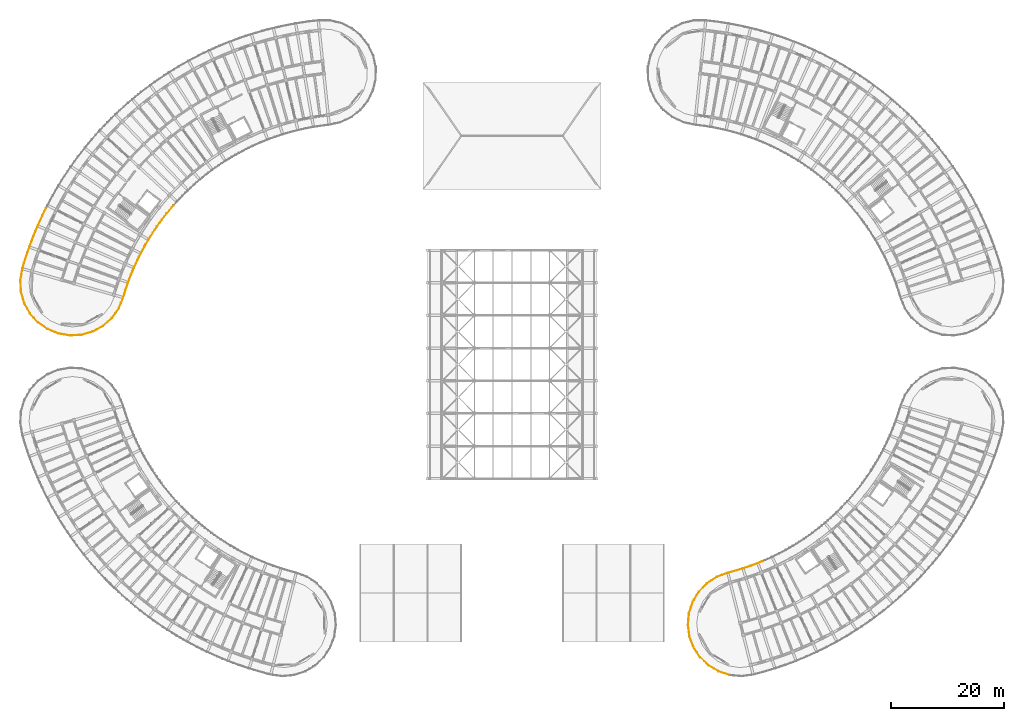
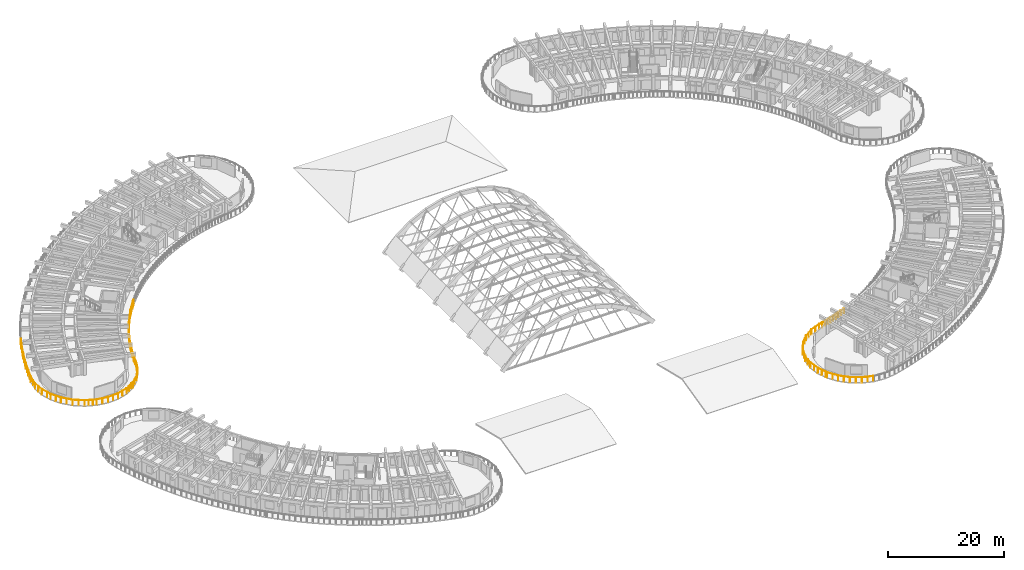
# One storey, part 69 of 81: 11 railings.
"""IFC4 building model written with IfcOpenShell, lengths in metres."""

import ifcopenshell
import ifcopenshell.guid

model = None  # the IFC model being written
_history = None  # IfcOwnerHistory: only IFC2X3 demands one
_inside = {}  # id of a spatial element -> (the spatial element, [elements in it])
_under = {}  # id of a project, library or spatial element -> (it, [spatial elements below it])
_declared = {}  # id of a project -> (the project, [libraries it declares])
_typed = {}  # id of a type object -> (the type object, [elements of that type])
_made_of = {}  # id of a material, layer set ... -> (it, [elements and type objects made of it])


def new_model(schema):
    """Start an empty IFC model of exactly this schema.

    Asked for "IFC4X3", IfcOpenShell would pick the latest addendum, in which some entities
    have other attributes; the version numbers below select the first issue.
    IFC2X3 requires an IfcOwnerHistory on every rooted entity: one is made here for all.
    """
    global model, _history
    if schema == "IFC4X3":
        model = ifcopenshell.file(schema_version=(4, 3, 0, 0))
    else:
        model = ifcopenshell.file(schema=schema)
    _inside.clear()
    _under.clear()
    _declared.clear()
    _typed.clear()
    _made_of.clear()
    _history = None
    if model.schema == "IFC2X3":
        org = make("IfcOrganization", Name="unknown")
        user = make(
            "IfcPersonAndOrganization",
            ThePerson=make("IfcPerson", FamilyName="unknown"),
            TheOrganization=org,
        )
        app = make(
            "IfcApplication",
            ApplicationDeveloper=org,
            Version="unknown",
            ApplicationFullName="unknown",
            ApplicationIdentifier="unknown",
        )
        _history = make(
            "IfcOwnerHistory",
            OwningUser=user,
            OwningApplication=app,
            ChangeAction="ADDED",
            CreationDate=0,
        )
    return model


def make(cls, **values):
    """One entity of the class cls with the attributes given. An attribute that is None is left unset."""
    return model.create_entity(
        cls, **{name: value for name, value in values.items() if value is not None}
    )


def rooted(cls, **values):
    """An entity with a GlobalId (a new one), such as an element, a storey or a relation."""
    return make(cls, GlobalId=ifcopenshell.guid.new(), OwnerHistory=_history, **values)


def si_unit(unit_type, name, prefix=None):
    """IfcSIUnit, for example si_unit("LENGTHUNIT", "METRE", prefix="MILLI")."""
    return make("IfcSIUnit", UnitType=unit_type, Prefix=prefix, Name=name)


def assignment(units):
    """IfcUnitAssignment: the units of a project."""
    return None if units is None else make("IfcUnitAssignment", Units=units)


def point(xyz):
    """IfcCartesianPoint."""
    return None if xyz is None else make("IfcCartesianPoint", Coordinates=xyz)


def direction(xyz):
    """IfcDirection."""
    return None if xyz is None else make("IfcDirection", DirectionRatios=xyz)


def frame(location, z_axis=None, x_axis=None):
    """IfcAxis2Placement3D, a coordinate frame: its origin and axes. An axis left out is left unset."""
    return make(
        "IfcAxis2Placement3D",
        Location=point(location),
        Axis=direction(z_axis),
        RefDirection=direction(x_axis),
    )


def frame_2d(location, x_axis=None):
    """IfcAxis2Placement2D, a coordinate frame in the plane: its origin and x axis."""
    return make(
        "IfcAxis2Placement2D", Location=point(location), RefDirection=direction(x_axis)
    )


def origin():
    """The frame at (0, 0, 0) with its axes left unset."""
    return frame((0.0, 0.0, 0.0))


def origin_2d():
    """The frame at (0, 0) in the plane with its x axis left unset."""
    return frame_2d((0.0, 0.0))


def place(relative_to, where):
    """IfcLocalPlacement: puts the frame where relative to a parent placement (None: the world)."""
    return make(
        "IfcLocalPlacement", PlacementRelTo=relative_to, RelativePlacement=where
    )


def context(
    kind, dimensions, precision=None, world=None, true_north=None, identifier=None
):
    """IfcGeometricRepresentationContext, for example the 3D "Model" context."""
    return make(
        "IfcGeometricRepresentationContext",
        ContextIdentifier=identifier,
        ContextType=kind,
        CoordinateSpaceDimension=dimensions,
        Precision=precision,
        WorldCoordinateSystem=world,
        TrueNorth=true_north,
    )


def subcontext(parent, identifier, kind, view, scale=None):
    """IfcGeometricRepresentationSubContext, for example "Body" below "Model"."""
    return make(
        "IfcGeometricRepresentationSubContext",
        ContextIdentifier=identifier,
        ContextType=kind,
        ParentContext=parent,
        TargetScale=scale,
        TargetView=view,
    )


def project(units=None, contexts=None):
    """IfcProject with its units and contexts."""
    return rooted(
        "IfcProject",
        Name="project",
        RepresentationContexts=contexts,
        UnitsInContext=assignment(units),
    )


def spatial(cls, under=None, at=None, **own):
    """A site, building, storey or space (cls), placed at a placement, below another one or the project."""
    s = rooted(cls, ObjectPlacement=at, **own)
    if under is not None:
        _under.setdefault(under.id(), (under, []))[1].append(s)
    return s


def profile(cls, at=None, kind="AREA", **sizes):
    """A parametric profile (cls). Its sizes go by their IFC names, for example OverallWidth=200.0."""
    return make(cls, ProfileType=kind, Position=at, **sizes)


def circle(**sizes):
    """IfcCircleProfileDef."""
    return profile("IfcCircleProfileDef", **sizes)


def extrude(swept, where, along, depth):
    """IfcExtrudedAreaSolid: the profile swept, set in the frame where, extruded along a direction by depth."""
    return make(
        "IfcExtrudedAreaSolid",
        SweptArea=swept,
        Position=where,
        ExtrudedDirection=direction(along),
        Depth=depth,
    )


def shape(context_of_items, identifier, shape_type, items):
    """IfcShapeRepresentation: the items that make up one representation, for example the "Body"."""
    return make(
        "IfcShapeRepresentation",
        ContextOfItems=context_of_items,
        RepresentationIdentifier=identifier,
        RepresentationType=shape_type,
        Items=items,
    )


def material(Name=None, Category=None):
    """IfcMaterial."""
    return make("IfcMaterial", Name=Name, Category=Category)


def made_of(thing, what):
    """Note that an element or type object is made of a material, layer set ...; save() writes the relation."""
    if what is not None:
        _made_of.setdefault(what.id(), (what, []))[1].append(thing)
    return thing


def type_object(cls, material=None, **own):
    """A type object (cls), such as IfcWallType, which elements share."""
    return made_of(rooted(cls, **own), material)


def element(
    cls,
    number,
    at=None,
    inside=None,
    cuts=None,
    type_object=None,
    material=None,
    context=None,
    identifier="Body",
    shape_type=None,
    held_by="IfcProductDefinitionShape",
    body=None,
    shapes=None,
    **own,
):
    """One element of the class cls, such as IfcWall. Its Tag is "e" and its number.

    at: its placement. inside: the storey or other place that contains it. cuts: it is an
    opening in that element (IfcRelVoidsElement). A single representation is given by context,
    identifier, shape_type and body (its items); several are given by shapes. held_by: the class
    of the entity that holds the representations. save() writes the other relations.
    """
    e = rooted(cls, Tag="e%d" % number, ObjectPlacement=at, **own)
    if body is not None:
        shapes = [shape(context, identifier, shape_type, body)]
    if shapes is not None:
        e.Representation = make(held_by, Representations=shapes)
    if inside is not None:
        _inside.setdefault(inside.id(), (inside, []))[1].append(e)
    if cuts is not None:
        rooted(
            "IfcRelVoidsElement", RelatingBuildingElement=cuts, RelatedOpeningElement=e
        )
    if type_object is not None:
        _typed.setdefault(type_object.id(), (type_object, []))[1].append(e)
    return made_of(e, material)


def aggregate(whole, parts):
    """IfcRelAggregates: a whole, such as a stair, and the parts it consists of."""
    return rooted("IfcRelAggregates", RelatingObject=whole, RelatedObjects=parts)


def save(model, path):
    """Write the relations noted so far, then the file.

    IfcRelAggregates (storeys below a building ...), IfcRelContainedInSpatialStructure (elements
    in a storey), IfcRelDefinesByType, IfcRelAssociatesMaterial and IfcRelDeclares: one each for
    every whole, place, type object, material and project.
    """
    for whole, parts in _under.values():
        aggregate(whole, parts)
    for where, things in _inside.values():
        rooted(
            "IfcRelContainedInSpatialStructure",
            RelatedElements=things,
            RelatingStructure=where,
        )
    for kind, things in _typed.values():
        rooted("IfcRelDefinesByType", RelatedObjects=things, RelatingType=kind)
    for what, things in _made_of.values():
        rooted("IfcRelAssociatesMaterial", RelatedObjects=things, RelatingMaterial=what)
    for by, libraries in _declared.values():
        rooted("IfcRelDeclares", RelatingContext=by, RelatedDefinitions=libraries)
    model.write(path)


model = new_model("IFC4")

# Units and contexts
model_context = context("Model", 3, precision=1e-05, world=origin(), true_north=direction((0.0, 1.0)))
body_context = subcontext(model_context, "Body", "Model", "MODEL_VIEW")
ifc_project = project(units=[si_unit("LENGTHUNIT", "METRE"), si_unit("AREAUNIT", "SQUARE_METRE"), si_unit("VOLUMEUNIT", "CUBIC_METRE"), si_unit("PLANEANGLEUNIT", "RADIAN"), si_unit("MASSUNIT", "GRAM", prefix="KILO")], contexts=[model_context])

# Site, building, storey
site_placement = place(None, origin())
site = spatial("IfcSite", under=ifc_project, at=site_placement, CompositionType="ELEMENT")
building_placement = place(site_placement, origin())
building = spatial("IfcBuilding", under=site, at=building_placement, Name="Tanwirah Colonnade Gardens", CompositionType="ELEMENT")
storey_placement = place(building_placement, frame((0.0, 0.0, 8.840087890625)))
storey = spatial("IfcBuildingStorey", under=building, at=storey_placement, Name="L02", CompositionType="ELEMENT", Elevation=8.840087890625)

# Railings
ifc_material = material(Name="Precast concrete C40/50", Category="concrete")
railing_type_1 = type_object("IfcRailingType", Name="BAL-EXT110", PredefinedType="BALUSTRADE", material=ifc_material)
railing_1_placement = place(storey_placement, frame((129.36962890625, 22.35888671875, 0.0)))
element("IfcRailing", 1, at=railing_1_placement, inside=storey, type_object=railing_type_1, Name="Block D L02 Balcony Ribbon Balustrade 1", PredefinedType="BALUSTRADE", context=body_context, shape_type="SweptSolid", body=[
    extrude(circle(Radius=0.02392578125, at=origin_2d()), frame((0.029296875, 0.010986328125, 1.076171875), z_axis=(0.937103821965, 0.349050751121, 0.0), x_axis=(-0.349050751121, 0.937103821965, 0.0)), (0.0, 0.0, 1.0), 2.029541015625),
    extrude(circle(Radius=0.02392578125, at=origin_2d()), frame((1.99072265625, 0.73828125, 1.076171875), z_axis=(0.96619995466, 0.257793808332, 0.0), x_axis=(-0.257793808332, 0.96619995466, 0.0)), (0.0, 0.0, 1.0), 1.32763671875),
    extrude(circle(Radius=0.02392578125, at=origin_2d()), frame((3.33642578125, 1.098388671875, 1.076171875), z_axis=(0.957270084886, 0.289195408993, 0.0), x_axis=(-0.289195408993, 0.957270084886, 0.0)), (0.0, 0.0, 1.0), 1.331298828125),
    extrude(circle(Radius=0.02392578125, at=origin_2d()), frame((4.6728515625, 1.503173828125, 1.076171875), z_axis=(0.947255234668, 0.320480140404, 0.0), x_axis=(-0.320480140404, 0.947255234668, 0.0)), (0.0, 0.0, 1.0), 1.33154296875),
    extrude(circle(Radius=0.02392578125, at=origin_2d()), frame((5.99560546875, 1.951904296875, 1.076171875), z_axis=(0.936314781462, 0.351161828813, 0.0), x_axis=(-0.351161828813, 0.936314781462, 0.0)), (0.0, 0.0, 1.0), 1.33154296875),
    extrude(circle(Radius=0.02392578125, at=origin_2d()), frame((7.302734375, 2.443359375, 1.076171875), z_axis=(0.924297734164, 0.38167223978, 0.0), x_axis=(-0.38167223978, 0.924297734164, 0.0)), (0.0, 0.0, 1.0), 0.7626953125),
    extrude(circle(Radius=0.02099609375, at=origin_2d()), origin(), (0.0, 0.0, 1.0), 1.049072265625),
    extrude(circle(Radius=0.02099609375, at=origin_2d()), frame((0.980224609375, 0.365234375, 0.0)), (0.0, 0.0, 1.0), 1.049072265625),
    extrude(circle(Radius=0.02099609375, at=origin_2d()), frame((1.96044921875, 0.730224609375, 0.0)), (0.0, 0.0, 1.0), 1.049072265625),
    extrude(circle(Radius=0.02099609375, at=origin_2d()), frame((2.632080078125, 0.909423828125, 0.0)), (0.0, 0.0, 1.0), 1.049072265625),
    extrude(circle(Radius=0.02099609375, at=origin_2d()), frame((3.3037109375, 1.088623046875, 0.0)), (0.0, 0.0, 1.0), 1.049072265625),
    extrude(circle(Radius=0.02099609375, at=origin_2d()), frame((3.9736328125, 1.291015625, 0.0)), (0.0, 0.0, 1.0), 1.049072265625),
    extrude(circle(Radius=0.02099609375, at=origin_2d()), frame((4.640625, 1.492431640625, 0.0)), (0.0, 0.0, 1.0), 1.049072265625),
    extrude(circle(Radius=0.02099609375, at=origin_2d()), frame((5.3037109375, 1.716552734375, 0.0)), (0.0, 0.0, 1.0), 1.049072265625),
    extrude(circle(Radius=0.02099609375, at=origin_2d()), frame((5.9638671875, 1.93994140625, 0.0)), (0.0, 0.0, 1.0), 1.049072265625),
    extrude(circle(Radius=0.02099609375, at=origin_2d()), frame((6.618896484375, 2.185546875, 0.0)), (0.0, 0.0, 1.0), 1.049072265625),
    extrude(circle(Radius=0.02099609375, at=origin_2d()), frame((7.271484375, 2.430419921875, 0.0)), (0.0, 0.0, 1.0), 1.049072265625),
    extrude(circle(Radius=0.02099609375, at=origin_2d()), frame((8.03662109375, 2.746337890625, 0.0)), (0.0, 0.0, 1.0), 1.049072265625),
])
railing_2_placement = place(storey_placement, frame((131.574951171875, 4.956298828125, 0.0)))
element("IfcRailing", 2, at=railing_2_placement, inside=storey, type_object=railing_type_1, Name="Block D L02 Balcony Ribbon Balustrade 18", PredefinedType="BALUSTRADE", context=body_context, shape_type="SweptSolid", body=[
    extrude(circle(Radius=0.02392578125, at=origin_2d()), frame((-0.02978515625, 0.009765625, 1.076171875), z_axis=(-0.950295740151, 0.311348689176, 0.0), x_axis=(-0.311348689176, -0.950295740151, 0.0)), (0.0, 0.0, 1.0), 1.90576171875),
    extrude(circle(Radius=0.02392578125, at=origin_2d()), frame((-1.897216796875, 0.62890625, 1.076171875), z_axis=(-0.85719342111, 0.514994600754, 0.0), x_axis=(-0.514994600754, -0.85719342111, 0.0)), (0.0, 0.0, 1.0), 2.0244140625),
    extrude(circle(Radius=0.02392578125, at=origin_2d()), frame((-3.681640625, 1.709228515625, 1.076171875), z_axis=(-0.721062309091, 0.692870223353, 0.0), x_axis=(-0.692870223353, -0.721062309091, 0.0)), (0.0, 0.0, 1.0), 2.0244140625),
    extrude(circle(Radius=0.02392578125, at=origin_2d()), frame((-5.18115234375, 3.15966796875, 1.076171875), z_axis=(-0.548773979468, 0.835970764715, 0.0), x_axis=(-0.835970764715, -0.548773979468, 0.0)), (0.0, 0.0, 1.0), 2.0244140625),
    extrude(circle(Radius=0.02392578125, at=origin_2d()), frame((-6.3203125, 4.907470703125, 1.076171875), z_axis=(-0.349248505254, 0.937030139098, 0.0), x_axis=(-0.937030139098, -0.349248505254, 0.0)), (0.0, 0.0, 1.0), 0.208740234375),
    extrude(circle(Radius=0.02099609375, at=origin_2d()), origin(), (0.0, 0.0, 1.0), 1.049072265625),
    extrude(circle(Radius=0.02099609375, at=origin_2d()), frame((-0.93505859375, 0.306396484375, 0.0)), (0.0, 0.0, 1.0), 1.049072265625),
    extrude(circle(Radius=0.02099609375, at=origin_2d()), frame((-1.870361328125, 0.61279296875, 0.0)), (0.0, 0.0, 1.0), 1.049072265625),
    extrude(circle(Radius=0.02099609375, at=origin_2d()), frame((-2.7646484375, 1.150146484375, 0.0)), (0.0, 0.0, 1.0), 1.049072265625),
    extrude(circle(Radius=0.02099609375, at=origin_2d()), frame((-3.6591796875, 1.6875, 0.0)), (0.0, 0.0, 1.0), 1.049072265625),
    extrude(circle(Radius=0.02099609375, at=origin_2d()), frame((-4.41162109375, 2.41064453125, 0.0)), (0.0, 0.0, 1.0), 1.049072265625),
    extrude(circle(Radius=0.02099609375, at=origin_2d()), frame((-5.1640625, 3.133544921875, 0.0)), (0.0, 0.0, 1.0), 1.049072265625),
    extrude(circle(Radius=0.02099609375, at=origin_2d()), frame((-5.73681640625, 4.005859375, 0.0)), (0.0, 0.0, 1.0), 1.049072265625),
    extrude(circle(Radius=0.02099609375, at=origin_2d()), frame((-6.309326171875, 4.878173828125, 0.0)), (0.0, 0.0, 1.0), 1.049072265625),
    extrude(circle(Radius=0.02099609375, at=origin_2d()), frame((-6.404052734375, 5.13232421875, 0.0)), (0.0, 0.0, 1.0), 1.049072265625),
])
railing_3_placement = place(storey_placement, frame((125.1708984375, 10.088623046875, 0.0)))
element("IfcRailing", 3, at=railing_3_placement, inside=storey, type_object=railing_type_1, Name="Block D L02 Balcony Ribbon Balustrade 19", PredefinedType="BALUSTRADE", context=body_context, shape_type="SweptSolid", body=[
    extrude(circle(Radius=0.02392578125, at=origin_2d()), frame((-0.010986328125, 0.029296875, 1.076171875), z_axis=(-0.348956204715, 0.93713903301, 0.0), x_axis=(-0.93713903301, -0.348956204715, 0.0)), (0.0, 0.0, 1.0), 1.7529296875),
    extrude(circle(Radius=0.02392578125, at=origin_2d()), frame((-0.6376953125, 1.732421875, 1.076171875), z_axis=(-0.131849522063, 0.991269743073, 0.0), x_axis=(-0.991269743073, -0.131849522063, 0.0)), (0.0, 0.0, 1.0), 2.0244140625),
    extrude(circle(Radius=0.02392578125, at=origin_2d()), frame((-0.90576171875, 3.80126953125, 1.076171875), z_axis=(0.092181027347, 0.995742264945, 0.0), x_axis=(-0.995742264945, 0.092181027347, 0.0)), (0.0, 0.0, 1.0), 2.0244140625),
    extrude(circle(Radius=0.02392578125, at=origin_2d()), frame((-0.70654296875, 5.8779296875, 1.076171875), z_axis=(0.311415597507, 0.950273816134, 0.0), x_axis=(-0.950273816134, 0.311415597507, 0.0)), (0.0, 0.0, 1.0), 2.0244140625),
    extrude(circle(Radius=0.02392578125, at=origin_2d()), frame((-0.05029296875, 7.858154296875, 1.076171875), z_axis=(0.51483484624, 0.857289380021, 0.0), x_axis=(-0.857289380021, 0.51483484624, 0.0)), (0.0, 0.0, 1.0), 0.36083984375),
    extrude(circle(Radius=0.02099609375, at=origin_2d()), origin(), (0.0, 0.0, 1.0), 1.049072265625),
    extrude(circle(Radius=0.02099609375, at=origin_2d()), frame((-0.31689453125, 0.8505859375, 0.0)), (0.0, 0.0, 1.0), 1.049072265625),
    extrude(circle(Radius=0.02099609375, at=origin_2d()), frame((-0.633544921875, 1.701416015625, 0.0)), (0.0, 0.0, 1.0), 1.049072265625),
    extrude(circle(Radius=0.02099609375, at=origin_2d()), frame((-0.77099609375, 2.73583984375, 0.0)), (0.0, 0.0, 1.0), 1.049072265625),
    extrude(circle(Radius=0.02099609375, at=origin_2d()), frame((-0.90869140625, 3.77001953125, 0.0)), (0.0, 0.0, 1.0), 1.049072265625),
    extrude(circle(Radius=0.02099609375, at=origin_2d()), frame((-0.8125, 4.80908203125, 0.0)), (0.0, 0.0, 1.0), 1.049072265625),
    extrude(circle(Radius=0.02099609375, at=origin_2d()), frame((-0.71630859375, 5.84814453125, 0.0)), (0.0, 0.0, 1.0), 1.049072265625),
    extrude(circle(Radius=0.02099609375, at=origin_2d()), frame((-0.391357421875, 6.83984375, 0.0)), (0.0, 0.0, 1.0), 1.049072265625),
    extrude(circle(Radius=0.02099609375, at=origin_2d()), frame((-0.06640625, 7.831298828125, 0.0)), (0.0, 0.0, 1.0), 1.049072265625),
    extrude(circle(Radius=0.02099609375, at=origin_2d()), frame((0.151611328125, 8.1943359375, 0.0)), (0.0, 0.0, 1.0), 1.049072265625),
])
railing_4_placement = place(storey_placement, frame((125.322509765625, 18.282958984375, 0.0)))
element("IfcRailing", 4, at=railing_4_placement, inside=storey, type_object=railing_type_1, Name="Block D L02 Balcony Ribbon Balustrade 20", PredefinedType="BALUSTRADE", context=body_context, shape_type="SweptSolid", body=[
    extrude(circle(Radius=0.02392578125, at=origin_2d()), frame((0.01611328125, 0.02685546875, 1.076171875), z_axis=(0.515035269405, 0.857168986413, 0.0), x_axis=(-0.857168986413, 0.515035269405, 0.0)), (0.0, 0.0, 1.0), 1.600830078125),
    extrude(circle(Radius=0.02392578125, at=origin_2d()), frame((0.87841796875, 1.4482421875, 1.076171875), z_axis=(0.692870223353, 0.721062309091, 0.0), x_axis=(-0.721062309091, 0.692870223353, 0.0)), (0.0, 0.0, 1.0), 2.0244140625),
    extrude(circle(Radius=0.02392578125, at=origin_2d()), frame((2.328857421875, 2.94775390625, 1.076171875), z_axis=(0.835935529347, 0.548827651248, 0.0), x_axis=(-0.548827651248, 0.835935529347, 0.0)), (0.0, 0.0, 1.0), 2.024169921875),
    extrude(circle(Radius=0.02099609375, at=origin_2d()), origin(), (0.0, 0.0, 1.0), 1.049072265625),
    extrude(circle(Radius=0.02099609375, at=origin_2d()), frame((0.42822265625, 0.712890625, 0.0)), (0.0, 0.0, 1.0), 1.049072265625),
    extrude(circle(Radius=0.02099609375, at=origin_2d()), frame((0.856689453125, 1.42578125, 0.0)), (0.0, 0.0, 1.0), 1.049072265625),
    extrude(circle(Radius=0.02099609375, at=origin_2d()), frame((1.57958984375, 2.17822265625, 0.0)), (0.0, 0.0, 1.0), 1.049072265625),
    extrude(circle(Radius=0.02099609375, at=origin_2d()), frame((2.302734375, 2.9306640625, 0.0)), (0.0, 0.0, 1.0), 1.049072265625),
    extrude(circle(Radius=0.02099609375, at=origin_2d()), frame((3.1748046875, 3.50341796875, 0.0)), (0.0, 0.0, 1.0), 1.049072265625),
    extrude(circle(Radius=0.02099609375, at=origin_2d()), frame((4.047119140625, 4.075927734375, 0.0)), (0.0, 0.0, 1.0), 1.049072265625),
])
railing_type_2 = type_object("IfcRailingType", Name="BAL-EXT112", PredefinedType="BALUSTRADE", material=ifc_material)
railing_5_placement = place(storey_placement, frame((32.869384765625, 88.28515625, 0.0)))
element("IfcRailing", 5, at=railing_5_placement, inside=storey, type_object=railing_type_2, Name="Block A L02 Balcony Ribbon Balustrade 5", PredefinedType="BALUSTRADE", context=body_context, shape_type="SweptSolid", body=[
    extrude(circle(Radius=0.02392578125, at=origin_2d()), frame((-0.020751953125, -0.0234375, 1.09619140625), z_axis=(-0.662562077046, -0.749007005348, 0.0), x_axis=(0.749007005348, -0.662562077046, 0.0)), (0.0, 0.0, 1.0), 0.3837890625),
    extrude(circle(Radius=0.02392578125, at=origin_2d()), frame((-0.3173828125, -0.3603515625, 1.09619140625), z_axis=(-0.637581943595, -0.770382544715, 0.0), x_axis=(0.770382544715, -0.637581943595, 0.0)), (0.0, 0.0, 1.0), 1.342041015625),
    extrude(circle(Radius=0.02392578125, at=origin_2d()), frame((-1.213623046875, -1.44482421875, 1.09619140625), z_axis=(-0.611783903817, -0.791024939576, 0.0), x_axis=(0.791024939576, -0.611783903817, 0.0)), (0.0, 0.0, 1.0), 1.341796875),
    extrude(circle(Radius=0.02392578125, at=origin_2d()), frame((-2.073486328125, -2.55859375, 1.09619140625), z_axis=(-0.585522290474, -0.810656306556, 0.0), x_axis=(0.810656306556, -0.585522290474, 0.0)), (0.0, 0.0, 1.0), 1.341796875),
    extrude(circle(Radius=0.02392578125, at=origin_2d()), frame((-2.896484375, -3.69970703125, 1.09619140625), z_axis=(-0.558385571779, -0.829581553091, 0.0), x_axis=(0.829581553091, -0.558385571779, 0.0)), (0.0, 0.0, 1.0), 1.341796875),
    extrude(circle(Radius=0.02392578125, at=origin_2d()), frame((-3.68115234375, -4.86767578125, 1.09619140625), z_axis=(-0.530764445851, -0.847519382091, 0.0), x_axis=(0.847519382091, -0.530764445851, 0.0)), (0.0, 0.0, 1.0), 1.341796875),
    extrude(circle(Radius=0.02392578125, at=origin_2d()), frame((-4.427001953125, -6.060546875, 1.09619140625), z_axis=(-0.502361540351, -0.864657667968, 0.0), x_axis=(0.864657667968, -0.502361540351, 0.0)), (0.0, 0.0, 1.0), 0.95361328125),
    extrude(circle(Radius=0.02099609375, at=origin_2d()), origin(), (0.0, 0.0, 1.0), 1.069091796875),
    extrude(circle(Radius=0.02099609375, at=origin_2d()), frame((-0.295654296875, -0.334228515625, 0.0)), (0.0, 0.0, 1.0), 1.069091796875),
    extrude(circle(Radius=0.02099609375, at=origin_2d()), frame((-0.7451171875, -0.877197265625, 0.0)), (0.0, 0.0, 1.0), 1.069091796875),
    extrude(circle(Radius=0.02099609375, at=origin_2d()), frame((-1.19287109375, -1.418212890625, 0.0)), (0.0, 0.0, 1.0), 1.069091796875),
    extrude(circle(Radius=0.02099609375, at=origin_2d()), frame((-1.6240234375, -1.9755859375, 0.0)), (0.0, 0.0, 1.0), 1.069091796875),
    extrude(circle(Radius=0.02099609375, at=origin_2d()), frame((-2.0537109375, -2.531005859375, 0.0)), (0.0, 0.0, 1.0), 1.069091796875),
    extrude(circle(Radius=0.02099609375, at=origin_2d()), frame((-2.46630859375, -3.1025390625, 0.0)), (0.0, 0.0, 1.0), 1.069091796875),
    extrude(circle(Radius=0.02099609375, at=origin_2d()), frame((-2.87744140625, -3.671630859375, 0.0)), (0.0, 0.0, 1.0), 1.069091796875),
    extrude(circle(Radius=0.02099609375, at=origin_2d()), frame((-3.27099609375, -4.25634765625, 0.0)), (0.0, 0.0, 1.0), 1.069091796875),
    extrude(circle(Radius=0.02099609375, at=origin_2d()), frame((-3.6630859375, -4.8388671875, 0.0)), (0.0, 0.0, 1.0), 1.069091796875),
    extrude(circle(Radius=0.02099609375, at=origin_2d()), frame((-4.037109375, -5.43603515625, 0.0)), (0.0, 0.0, 1.0), 1.069091796875),
    extrude(circle(Radius=0.02099609375, at=origin_2d()), frame((-4.409912109375, -6.03125, 0.0)), (0.0, 0.0, 1.0), 1.069091796875),
    extrude(circle(Radius=0.02099609375, at=origin_2d()), frame((-4.921875, -6.912109375, 0.0)), (0.0, 0.0, 1.0), 1.069091796875),
])
railing_6_placement = place(storey_placement, frame((27.947509765625, 81.373046875, 0.0)))
element("IfcRailing", 6, at=railing_6_placement, inside=storey, type_object=railing_type_2, Name="Block A L02 Balcony Ribbon Balustrade 6", PredefinedType="BALUSTRADE", context=body_context, shape_type="SweptSolid", body=[
    extrude(circle(Radius=0.02392578125, at=origin_2d()), frame((-0.015625, -0.027099609375, 1.09619140625), z_axis=(-0.502423717067, -0.864621540634, 0.0), x_axis=(0.864621540634, -0.502423717067, 0.0)), (0.0, 0.0, 1.0), 0.32568359375),
    extrude(circle(Radius=0.02392578125, at=origin_2d()), frame((-0.211181640625, -0.365478515625, 1.09619140625), z_axis=(-0.473716211853, -0.880677552018, 0.0), x_axis=(0.880677552018, -0.473716211853, 0.0)), (0.0, 0.0, 1.0), 1.341796875),
    extrude(circle(Radius=0.02392578125, at=origin_2d()), frame((-0.876708984375, -1.60498046875, 1.09619140625), z_axis=(-0.444499692011, -0.895779003885, 0.0), x_axis=(0.895779003885, -0.444499692011, 0.0)), (0.0, 0.0, 1.0), 1.341796875),
    extrude(circle(Radius=0.02392578125, at=origin_2d()), frame((-1.501220703125, -2.865966796875, 1.09619140625), z_axis=(-0.414654197084, -0.909979063957, 0.0), x_axis=(0.909979063957, -0.414654197084, 0.0)), (0.0, 0.0, 1.0), 1.341796875),
    extrude(circle(Radius=0.02392578125, at=origin_2d()), frame((-2.08349609375, -4.146484375, 1.09619140625), z_axis=(-0.384541319971, -0.923107779858, 0.0), x_axis=(0.923107779858, -0.384541319971, 0.0)), (0.0, 0.0, 1.0), 1.341796875),
    extrude(circle(Radius=0.02392578125, at=origin_2d()), frame((-2.62353515625, -5.44580078125, 1.09619140625), z_axis=(-0.353789339155, -0.935325132508, 0.0), x_axis=(0.935325132508, -0.353789339155, 0.0)), (0.0, 0.0, 1.0), 1.341796875),
    extrude(circle(Radius=0.02392578125, at=origin_2d()), frame((-3.120361328125, -6.761962890625, 1.09619140625), z_axis=(-0.322900627553, -0.946432873862, 0.0), x_axis=(0.946432873862, -0.322900627553, 0.0)), (0.0, 0.0, 1.0), 1.011962890625),
    extrude(circle(Radius=0.02099609375, at=origin_2d()), origin(), (0.0, 0.0, 1.0), 1.069091796875),
    extrude(circle(Radius=0.02099609375, at=origin_2d()), frame((-0.195068359375, -0.335693359375, 0.0)), (0.0, 0.0, 1.0), 1.069091796875),
    extrude(circle(Radius=0.02099609375, at=origin_2d()), frame((-0.52880859375, -0.956298828125, 0.0)), (0.0, 0.0, 1.0), 1.069091796875),
    extrude(circle(Radius=0.02099609375, at=origin_2d()), frame((-0.861572265625, -1.57470703125, 0.0)), (0.0, 0.0, 1.0), 1.069091796875),
    extrude(circle(Radius=0.02099609375, at=origin_2d()), frame((-1.1748046875, -2.2060546875, 0.0)), (0.0, 0.0, 1.0), 1.069091796875),
    extrude(circle(Radius=0.02099609375, at=origin_2d()), frame((-1.487060546875, -2.8349609375, 0.0)), (0.0, 0.0, 1.0), 1.069091796875),
    extrude(circle(Radius=0.02099609375, at=origin_2d()), frame((-1.779296875, -3.476318359375, 0.0)), (0.0, 0.0, 1.0), 1.069091796875),
    extrude(circle(Radius=0.02099609375, at=origin_2d()), frame((-2.070556640625, -4.115234375, 0.0)), (0.0, 0.0, 1.0), 1.069091796875),
    extrude(circle(Radius=0.02099609375, at=origin_2d()), frame((-2.341552734375, -4.765869140625, 0.0)), (0.0, 0.0, 1.0), 1.069091796875),
    extrude(circle(Radius=0.02099609375, at=origin_2d()), frame((-2.611572265625, -5.4140625, 0.0)), (0.0, 0.0, 1.0), 1.069091796875),
    extrude(circle(Radius=0.02099609375, at=origin_2d()), frame((-2.86083984375, -6.0732421875, 0.0)), (0.0, 0.0, 1.0), 1.069091796875),
    extrude(circle(Radius=0.02099609375, at=origin_2d()), frame((-3.109375, -6.72998046875, 0.0)), (0.0, 0.0, 1.0), 1.069091796875),
    extrude(circle(Radius=0.02099609375, at=origin_2d()), frame((-3.457275390625, -7.749267578125, 0.0)), (0.0, 0.0, 1.0), 1.069091796875),
])
railing_7_placement = place(storey_placement, frame((24.490234375, 73.623779296875, 0.0)))
element("IfcRailing", 7, at=railing_7_placement, inside=storey, type_object=railing_type_2, Name="Block A L02 Balcony Ribbon Balustrade 7", PredefinedType="BALUSTRADE", context=body_context, shape_type="SweptSolid", body=[
    extrude(circle(Radius=0.02392578125, at=origin_2d()), frame((-0.010009765625, -0.029541015625, 1.09619140625), z_axis=(-0.322432998428, -0.946592288963, 0.0), x_axis=(0.946592288963, -0.322432998428, 0.0)), (0.0, 0.0, 1.0), 0.267578125),
    extrude(circle(Radius=0.02392578125, at=origin_2d()), frame((-0.1162109375, -0.3447265625, 1.09619140625), z_axis=(-0.29148764702, -0.956574592823, 0.0), x_axis=(0.956574592823, -0.29148764702, 0.0)), (0.0, 0.0, 1.0), 1.337890625),
    extrude(circle(Radius=0.02392578125, at=origin_2d()), frame((-0.52734375, -1.683349609375, 1.09619140625), z_axis=(-0.381489237895, -0.92437328032, 0.0), x_axis=(0.92437328032, -0.381489237895, 0.0)), (0.0, 0.0, 1.0), 2.029541015625),
    extrude(circle(Radius=0.02392578125, at=origin_2d()), frame((-1.33154296875, -3.614013671875, 1.09619140625), z_axis=(-0.577647272924, -0.816286486525, 0.0), x_axis=(0.816286486525, -0.577647272924, 0.0)), (0.0, 0.0, 1.0), 2.0244140625),
    extrude(circle(Radius=0.02392578125, at=origin_2d()), frame((-2.542236328125, -5.312744140625, 1.09619140625), z_axis=(-0.744822012119, -0.667263194146, 0.0), x_axis=(0.667263194146, -0.744822012119, 0.0)), (0.0, 0.0, 1.0), 2.0244140625),
    extrude(circle(Radius=0.02392578125, at=origin_2d()), frame((-4.100830078125, -6.69970703125, 1.09619140625), z_axis=(-0.874616555828, -0.48481530532, 0.0), x_axis=(0.48481530532, -0.874616555828, 0.0)), (0.0, 0.0, 1.0), 0.4384765625),
    extrude(circle(Radius=0.02099609375, at=origin_2d()), origin(), (0.0, 0.0, 1.0), 1.069091796875),
    extrude(circle(Radius=0.02099609375, at=origin_2d()), frame((-0.1064453125, -0.3125, 0.0)), (0.0, 0.0, 1.0), 1.069091796875),
    extrude(circle(Radius=0.02099609375, at=origin_2d()), frame((-0.311279296875, -0.98486328125, 0.0)), (0.0, 0.0, 1.0), 1.069091796875),
    extrude(circle(Radius=0.02099609375, at=origin_2d()), frame((-0.515380859375, -1.654541015625, 0.0)), (0.0, 0.0, 1.0), 1.069091796875),
    extrude(circle(Radius=0.02099609375, at=origin_2d()), frame((-0.91455078125, -2.62158203125, 0.0)), (0.0, 0.0, 1.0), 1.069091796875),
    extrude(circle(Radius=0.02099609375, at=origin_2d()), frame((-1.3134765625, -3.58837890625, 0.0)), (0.0, 0.0, 1.0), 1.069091796875),
    extrude(circle(Radius=0.02099609375, at=origin_2d()), frame((-1.916259765625, -4.440185546875, 0.0)), (0.0, 0.0, 1.0), 1.069091796875),
    extrude(circle(Radius=0.02099609375, at=origin_2d()), frame((-2.51904296875, -5.2919921875, 0.0)), (0.0, 0.0, 1.0), 1.069091796875),
    extrude(circle(Radius=0.02099609375, at=origin_2d()), frame((-3.29638671875, -5.98828125, 0.0)), (0.0, 0.0, 1.0), 1.069091796875),
    extrude(circle(Radius=0.02099609375, at=origin_2d()), frame((-4.073486328125, -6.6845703125, 0.0)), (0.0, 0.0, 1.0), 1.069091796875),
    extrude(circle(Radius=0.02099609375, at=origin_2d()), frame((-4.51171875, -6.927490234375, 0.0)), (0.0, 0.0, 1.0), 1.069091796875),
])
railing_8_placement = place(storey_placement, frame((19.978515625, 66.6962890625, 0.0)))
element("IfcRailing", 8, at=railing_8_placement, inside=storey, type_object=railing_type_2, Name="Block A L02 Balcony Ribbon Balustrade 8", PredefinedType="BALUSTRADE", context=body_context, shape_type="SweptSolid", body=[
    extrude(circle(Radius=0.02392578125, at=origin_2d()), frame((-0.02734375, -0.01513671875, 1.09619140625), z_axis=(-0.874621647365, -0.48480611997, 0.0), x_axis=(0.48480611997, -0.874621647365, 0.0)), (0.0, 0.0, 1.0), 1.523193359375),
    extrude(circle(Radius=0.02392578125, at=origin_2d()), frame((-1.4169921875, -0.777587890625, 1.09619140625), z_axis=(-0.960560153031, -0.278072279108, 0.0), x_axis=(0.278072279108, -0.960560153031, 0.0)), (0.0, 0.0, 1.0), 2.0244140625),
    extrude(circle(Radius=0.02392578125, at=origin_2d()), frame((-3.4228515625, -1.350830078125, 1.09619140625), z_axis=(-0.998362374442, -0.057206374631, 0.0), x_axis=(0.057206374631, -0.998362374442, 0.0)), (0.0, 0.0, 1.0), 2.0244140625),
    extrude(circle(Radius=0.02392578125, at=origin_2d()), frame((-5.505859375, -1.46337890625, 1.09619140625), z_axis=(-0.986085511051, 0.166238879013, 0.0), x_axis=(-0.166238879013, -0.986085511051, 0.0)), (0.0, 0.0, 1.0), 2.0244140625),
    extrude(circle(Radius=0.02392578125, at=origin_2d()), frame((-7.561767578125, -1.109619140625, 1.09619140625), z_axis=(-0.924376024919, 0.381482587487, 0.0), x_axis=(-0.381482587487, -0.924376024919, 0.0)), (0.0, 0.0, 1.0), 0.5908203125),
    extrude(circle(Radius=0.02099609375, at=origin_2d()), origin(), (0.0, 0.0, 1.0), 1.069091796875),
    extrude(circle(Radius=0.02099609375, at=origin_2d()), frame((-0.693359375, -0.38427734375, 0.0)), (0.0, 0.0, 1.0), 1.069091796875),
    extrude(circle(Radius=0.02099609375, at=origin_2d()), frame((-1.386962890625, -0.768798828125, 0.0)), (0.0, 0.0, 1.0), 1.069091796875),
    extrude(circle(Radius=0.02099609375, at=origin_2d()), frame((-2.38916015625, -1.05908203125, 0.0)), (0.0, 0.0, 1.0), 1.069091796875),
    extrude(circle(Radius=0.02099609375, at=origin_2d()), frame((-3.3916015625, -1.34912109375, 0.0)), (0.0, 0.0, 1.0), 1.069091796875),
    extrude(circle(Radius=0.02099609375, at=origin_2d()), frame((-4.433349609375, -1.40869140625, 0.0)), (0.0, 0.0, 1.0), 1.069091796875),
    extrude(circle(Radius=0.02099609375, at=origin_2d()), frame((-5.47509765625, -1.468505859375, 0.0)), (0.0, 0.0, 1.0), 1.069091796875),
    extrude(circle(Radius=0.02099609375, at=origin_2d()), frame((-6.50390625, -1.294921875, 0.0)), (0.0, 0.0, 1.0), 1.069091796875),
    extrude(circle(Radius=0.02099609375, at=origin_2d()), frame((-7.532958984375, -1.12158203125, 0.0)), (0.0, 0.0, 1.0), 1.069091796875),
    extrude(circle(Radius=0.02099609375, at=origin_2d()), frame((-8.136962890625, -0.872314453125, 0.0)), (0.0, 0.0, 1.0), 1.069091796875),
])
railing_9_placement = place(storey_placement, frame((11.841552734375, 65.823974609375, 0.0)))
element("IfcRailing", 9, at=railing_9_placement, inside=storey, type_object=railing_type_2, Name="Block A L02 Balcony Ribbon Balustrade 9", PredefinedType="BALUSTRADE", context=body_context, shape_type="SweptSolid", body=[
    extrude(circle(Radius=0.02392578125, at=origin_2d()), frame((-0.02880859375, 0.011962890625, 1.09619140625), z_axis=(-0.924356771704, 0.381529236893, 0.0), x_axis=(-0.381529236893, -0.924356771704, 0.0)), (0.0, 0.0, 1.0), 1.370849609375),
    extrude(circle(Radius=0.02392578125, at=origin_2d()), frame((-1.3505859375, 0.56494140625, 1.09619140625), z_axis=(-0.816286486525, 0.577647272924, 0.0), x_axis=(-0.577647272924, -0.816286486525, 0.0)), (0.0, 0.0, 1.0), 2.0244140625),
    extrude(circle(Radius=0.02392578125, at=origin_2d()), frame((-3.04931640625, 1.775634765625, 1.09619140625), z_axis=(-0.667263194146, 0.744822012119, 0.0), x_axis=(-0.744822012119, -0.667263194146, 0.0)), (0.0, 0.0, 1.0), 2.0244140625),
    extrude(circle(Radius=0.02392578125, at=origin_2d()), frame((-4.436279296875, 3.334228515625, 1.09619140625), z_axis=(-0.484808325403, 0.874620424882, 0.0), x_axis=(-0.874620424882, -0.484808325403, 0.0)), (0.0, 0.0, 1.0), 2.0244140625),
    extrude(circle(Radius=0.02392578125, at=origin_2d()), frame((-5.441650390625, 5.162109375, 1.09619140625), z_axis=(-0.277881479948, 0.960615366888, 0.0), x_axis=(-0.960615366888, -0.277881479948, 0.0)), (0.0, 0.0, 1.0), 0.7431640625),
    extrude(circle(Radius=0.02099609375, at=origin_2d()), origin(), (0.0, 0.0, 1.0), 1.069091796875),
    extrude(circle(Radius=0.02099609375, at=origin_2d()), frame((-0.66259765625, 0.2734375, 0.0)), (0.0, 0.0, 1.0), 1.069091796875),
    extrude(circle(Radius=0.02099609375, at=origin_2d()), frame((-1.324951171875, 0.546875, 0.0)), (0.0, 0.0, 1.0), 1.069091796875),
    extrude(circle(Radius=0.02099609375, at=origin_2d()), frame((-2.1767578125, 1.149658203125, 0.0)), (0.0, 0.0, 1.0), 1.069091796875),
    extrude(circle(Radius=0.02099609375, at=origin_2d()), frame((-3.028564453125, 1.75244140625, 0.0)), (0.0, 0.0, 1.0), 1.069091796875),
    extrude(circle(Radius=0.02099609375, at=origin_2d()), frame((-3.724853515625, 2.52978515625, 0.0)), (0.0, 0.0, 1.0), 1.069091796875),
    extrude(circle(Radius=0.02099609375, at=origin_2d()), frame((-4.421142578125, 3.306884765625, 0.0)), (0.0, 0.0, 1.0), 1.069091796875),
    extrude(circle(Radius=0.02099609375, at=origin_2d()), frame((-4.927001953125, 4.219482421875, 0.0)), (0.0, 0.0, 1.0), 1.069091796875),
    extrude(circle(Radius=0.02099609375, at=origin_2d()), frame((-5.432861328125, 5.132080078125, 0.0)), (0.0, 0.0, 1.0), 1.069091796875),
    extrude(circle(Radius=0.02099609375, at=origin_2d()), frame((-5.65673828125, 5.906005859375, 0.0)), (0.0, 0.0, 1.0), 1.069091796875),
])
railing_10_placement = place(storey_placement, frame((6.184814453125, 71.72998046875, 0.0)))
element("IfcRailing", 10, at=railing_10_placement, inside=storey, type_object=railing_type_2, Name="Block A L02 Balcony Ribbon Balustrade 10", PredefinedType="BALUSTRADE", context=body_context, shape_type="SweptSolid", body=[
    extrude(circle(Radius=0.02392578125, at=origin_2d()), frame((-0.0087890625, 0.030029296875, 1.09619140625), z_axis=(-0.278016434724, 0.960576317646, 0.0), x_axis=(-0.960576317646, -0.278016434724, 0.0)), (0.0, 0.0, 1.0), 1.21875),
    extrude(circle(Radius=0.02392578125, at=origin_2d()), frame((-0.35791015625, 1.261962890625, 1.09619140625), z_axis=(-0.057322977065, 0.998355686266, 0.0), x_axis=(-0.998355686266, -0.057322977065, 0.0)), (0.0, 0.0, 1.0), 2.0244140625),
    extrude(circle(Radius=0.02392578125, at=origin_2d()), frame((-0.470703125, 3.344970703125, 1.09619140625), z_axis=(0.166292387508, 0.986076488847, 0.0), x_axis=(-0.986076488847, 0.166292387508, 0.0)), (0.0, 0.0, 1.0), 2.028076171875),
    extrude(circle(Radius=0.02392578125, at=origin_2d()), frame((-0.119140625, 5.405517578125, 1.09619140625), z_axis=(0.291363831298, 0.956612313224, 0.0), x_axis=(-0.956612313224, 0.291363831298, 0.0)), (0.0, 0.0, 1.0), 1.955078125),
    extrude(circle(Radius=0.02392578125, at=origin_2d()), frame((0.4697265625, 7.33544921875, 1.09619140625), z_axis=(0.322945869443, 0.946417437186, 0.0), x_axis=(-0.946417437186, 0.322945869443, 0.0)), (0.0, 0.0, 1.0), 0.961181640625),
    extrude(circle(Radius=0.02099609375, at=origin_2d()), origin(), (0.0, 0.0, 1.0), 1.069091796875),
    extrude(circle(Radius=0.02099609375, at=origin_2d()), frame((-0.356201171875, 1.230712890625, 0.0)), (0.0, 0.0, 1.0), 1.069091796875),
    extrude(circle(Radius=0.02099609375, at=origin_2d()), frame((-0.416015625, 2.2724609375, 0.0)), (0.0, 0.0, 1.0), 1.069091796875),
    extrude(circle(Radius=0.02099609375, at=origin_2d()), frame((-0.475830078125, 3.314208984375, 0.0)), (0.0, 0.0, 1.0), 1.069091796875),
    extrude(circle(Radius=0.02099609375, at=origin_2d()), frame((-0.302001953125, 4.344970703125, 0.0)), (0.0, 0.0, 1.0), 1.069091796875),
    extrude(circle(Radius=0.02099609375, at=origin_2d()), frame((-0.128173828125, 5.375732421875, 0.0)), (0.0, 0.0, 1.0), 1.069091796875),
    extrude(circle(Radius=0.02099609375, at=origin_2d()), frame((0.165771484375, 6.3408203125, 0.0)), (0.0, 0.0, 1.0), 1.069091796875),
    extrude(circle(Radius=0.02099609375, at=origin_2d()), frame((0.459716796875, 7.305908203125, 0.0)), (0.0, 0.0, 1.0), 1.069091796875),
    extrude(circle(Radius=0.02099609375, at=origin_2d()), frame((0.790283203125, 8.274658203125, 0.0)), (0.0, 0.0, 1.0), 1.069091796875),
])
railing_11_placement = place(storey_placement, frame((6.97509765625, 80.004638671875, 0.0)))
element("IfcRailing", 11, at=railing_11_placement, inside=storey, type_object=railing_type_2, Name="Block A L02 Balcony Ribbon Balustrade 11", PredefinedType="BALUSTRADE", context=body_context, shape_type="SweptSolid", body=[
    extrude(circle(Radius=0.02392578125, at=origin_2d()), frame((0.010009765625, 0.029541015625, 1.09619140625), z_axis=(0.322753642414, 0.946483008991, 0.0), x_axis=(-0.946483008991, 0.322753642414, 0.0)), (0.0, 0.0, 1.0), 0.935302734375),
    extrude(circle(Radius=0.02392578125, at=origin_2d()), frame((0.3330078125, 0.9736328125, 1.09619140625), z_axis=(0.353874964852, 0.935292739869, 0.0), x_axis=(-0.935292739869, 0.353874964852, 0.0)), (0.0, 0.0, 1.0), 1.958984375),
    extrude(circle(Radius=0.02392578125, at=origin_2d()), frame((1.04931640625, 2.86376953125, 1.09619140625), z_axis=(0.384409566544, 0.92316265368, 0.0), x_axis=(-0.92316265368, 0.384409566544, 0.0)), (0.0, 0.0, 1.0), 1.958984375),
    extrude(circle(Radius=0.02392578125, at=origin_2d()), frame((1.827392578125, 4.729736328125, 1.09619140625), z_axis=(0.414749084938, 0.909935820013, 0.0), x_axis=(-0.909935820013, 0.414749084938, 0.0)), (0.0, 0.0, 1.0), 1.958984375),
    extrude(circle(Radius=0.02392578125, at=origin_2d()), frame((2.666748046875, 6.568603515625, 1.09619140625), z_axis=(0.444426333087, 0.895815401999, 0.0), x_axis=(-0.895815401999, 0.444426333087, 0.0)), (0.0, 0.0, 1.0), 1.375),
    extrude(circle(Radius=0.02099609375, at=origin_2d()), origin(), (0.0, 0.0, 1.0), 1.069091796875),
    extrude(circle(Radius=0.02099609375, at=origin_2d()), frame((0.322021484375, 0.9443359375, 0.0)), (0.0, 0.0, 1.0), 1.069091796875),
    extrude(circle(Radius=0.02099609375, at=origin_2d()), frame((0.6796875, 1.8896484375, 0.0)), (0.0, 0.0, 1.0), 1.069091796875),
    extrude(circle(Radius=0.02099609375, at=origin_2d()), frame((1.037353515625, 2.8349609375, 0.0)), (0.0, 0.0, 1.0), 1.069091796875),
    extrude(circle(Radius=0.02099609375, at=origin_2d()), frame((1.42578125, 3.76806640625, 0.0)), (0.0, 0.0, 1.0), 1.069091796875),
    extrude(circle(Radius=0.02099609375, at=origin_2d()), frame((1.814453125, 4.701171875, 0.0)), (0.0, 0.0, 1.0), 1.069091796875),
    extrude(circle(Radius=0.02099609375, at=origin_2d()), frame((2.233642578125, 5.620849609375, 0.0)), (0.0, 0.0, 1.0), 1.069091796875),
    extrude(circle(Radius=0.02099609375, at=origin_2d()), frame((2.65283203125, 6.54052734375, 0.0)), (0.0, 0.0, 1.0), 1.069091796875),
    extrude(circle(Radius=0.02099609375, at=origin_2d()), frame((2.97216796875, 7.1845703125, 0.0)), (0.0, 0.0, 1.0), 1.069091796875),
    extrude(circle(Radius=0.02099609375, at=origin_2d()), frame((3.291748046875, 7.828369140625, 0.0)), (0.0, 0.0, 1.0), 1.069091796875),
])

save(model, "model.ifc")
